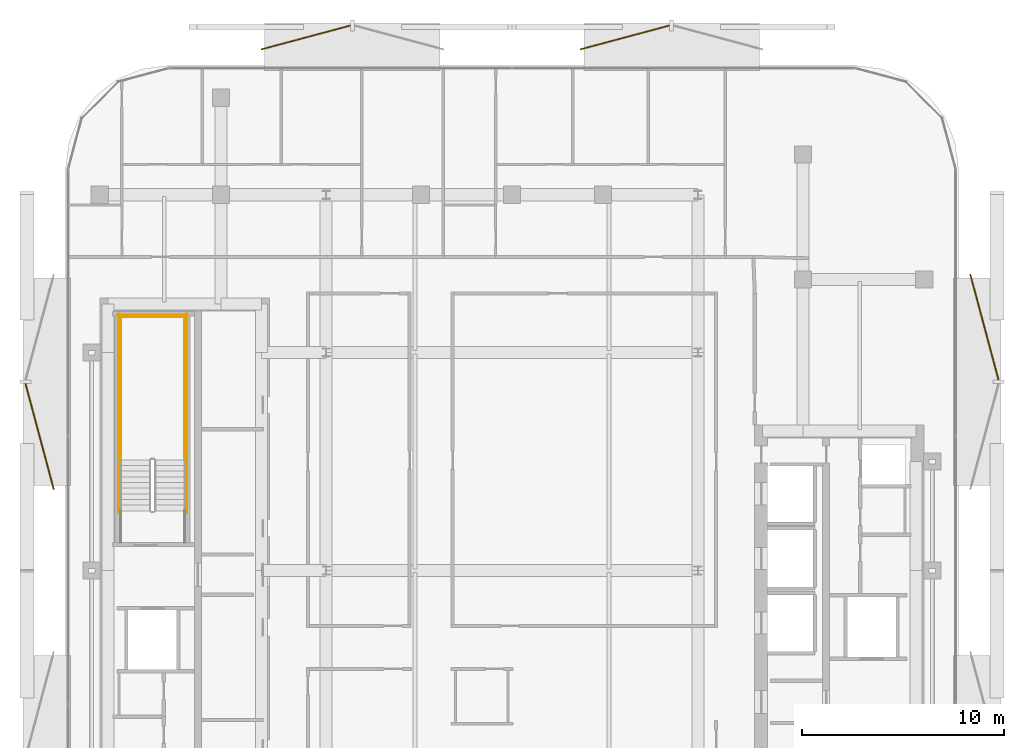
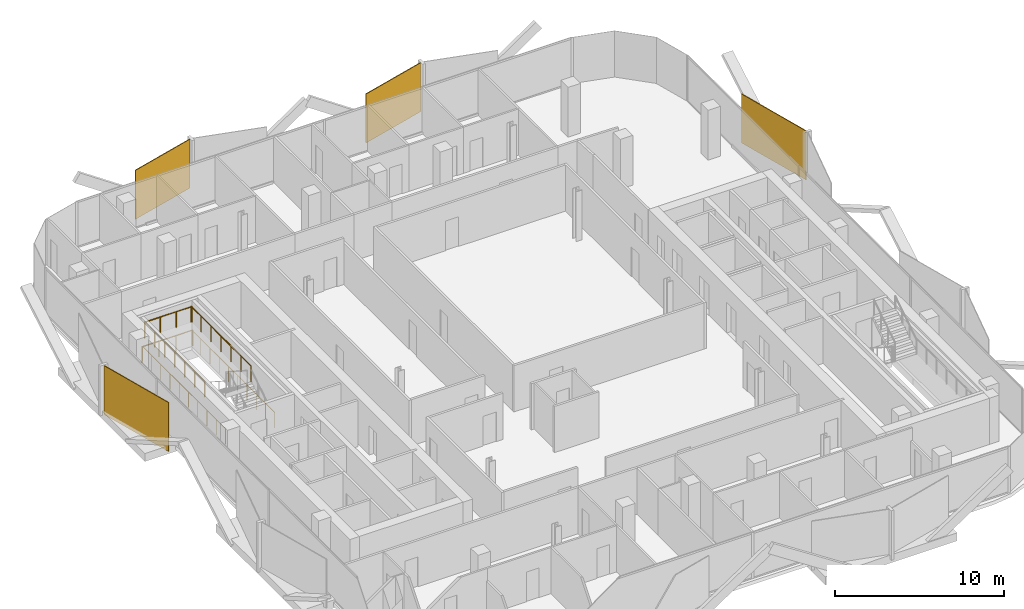
# One storey, part 14 of 14: 6 railings, 4 coverings.
"""IFC4 building model written with IfcOpenShell, lengths in metres."""

from ifc_helpers import new_model, si_unit, direction, frame, origin, origin_2d, place, context, subcontext, project, spatial, rectangle, circle, extrude, material, layer, layer_set, type_object, element, save


model = new_model("IFC4")

# Units and contexts
model_context = context("Model", 3, precision=1e-05, world=origin(), true_north=direction((0.0, 1.0)))
body_context = subcontext(model_context, "Body", "Model", "MODEL_VIEW")
ifc_project = project(units=[si_unit("LENGTHUNIT", "METRE"), si_unit("AREAUNIT", "SQUARE_METRE"), si_unit("VOLUMEUNIT", "CUBIC_METRE"), si_unit("PLANEANGLEUNIT", "RADIAN"), si_unit("MASSUNIT", "GRAM", prefix="KILO")], contexts=[model_context])

# Site, building, storey
site_placement = place(None, origin())
site = spatial("IfcSite", under=ifc_project, at=site_placement, CompositionType="ELEMENT")
building_placement = place(site_placement, origin())
building = spatial("IfcBuilding", under=site, at=building_placement, Name="Khairoan Windgate Tower", CompositionType="ELEMENT")
storey_placement = place(building_placement, frame((0.0, 0.0, 229.60009765625)))
storey = spatial("IfcBuildingStorey", under=building, at=storey_placement, Name="L53", CompositionType="ELEMENT", Elevation=229.60009765625)

# Coverings
ifc_material_1 = material(Name="Anodised Bronze Aluminium 6063-T6", Category="aluminium")
ifc_layer = layer(ifc_material_1, 0.054931640625, Name="Anodised Bronze Aluminium 6063-T6")
ifc_layer_set = layer_set([ifc_layer], Name="Anodised Bronze Aluminium 6063-T6")
covering_type = type_object("IfcCoveringType", Name="Perforated Bronze-Ceramic Folded Solar Screen Cladding BSC-1", PredefinedType="CLADDING", material=ifc_layer_set)
covering_1_placement = place(storey_placement, frame((-23.378662109375, 6.6376953125, -0.10009765625), z_axis=(0.0, 0.0, 1.0), x_axis=(-0.258819045103, 0.965925826289, 0.0)))
element("IfcCovering", 1, at=covering_1_placement, inside=storey, type_object=covering_type, Name="L53 Folded Bronze Solar Screen Facet 356L", PredefinedType="CLADDING", context=body_context, shape_type="SweptSolid", body=[
    extrude(rectangle(XDim=5.419921875, YDim=0.054931640625, at=origin_2d()), origin(), (0.0, 0.0, 1.0), 3.5400390625),
])
for number, where, z_axis, x_axis, name in (
    (2, (-10.197021484375, 26.387451171875, -0.10009765625), (0.0, 0.0, 1.0), (0.965925826289, 0.258819045103, 0.0), "L53 Folded Bronze Solar Screen Facet 357L"),
    (3, (5.593994140625, 26.387451171875, -0.10009765625), (0.0, 0.0, 1.0), (0.965925826289, 0.258819045103, 0.0), "L53 Folded Bronze Solar Screen Facet 358L"),
):
    element("IfcCovering", number, at=place(storey_placement, frame(where, z_axis=z_axis, x_axis=x_axis)), inside=storey, type_object=covering_type, Name=name, PredefinedType="CLADDING", context=body_context, shape_type="SweptSolid", body=[
        extrude(rectangle(XDim=4.5791015625, YDim=0.054931640625, at=origin_2d()), origin(), (0.0, 0.0, 1.0), 3.5400390625),
    ])
covering_2_placement = place(storey_placement, frame((23.378662109375, 12.052978515625, -0.10009765625), z_axis=(0.0, 0.0, 1.0), x_axis=(0.258819045103, -0.965925826289, 0.0)))
element("IfcCovering", 4, at=covering_2_placement, inside=storey, type_object=covering_type, Name="L53 Folded Bronze Solar Screen Facet 359L", PredefinedType="CLADDING", context=body_context, shape_type="SweptSolid", body=[
    extrude(rectangle(XDim=5.419921875, YDim=0.054931640625, at=origin_2d()), origin(), (0.0, 0.0, 1.0), 3.5400390625),
])

# Railings
ifc_material_2 = material(Name="Steel S355", Category="steel")
railing_type = type_object("IfcRailingType", Name="Stairwell Safety Guardrail SGR-1150", PredefinedType="GUARDRAIL", material=ifc_material_2)
for number, where, name in (
    (5, (-16.199951171875, 5.47998046875, 1.7998046875), "L53 ST2 stair guard 3"),
    (6, (-19.3701171875, 5.47998046875, 1.7998046875), "L53 ST2 stair guard 4"),
):
    element("IfcRailing", number, at=place(storey_placement, frame(where)), inside=storey, type_object=railing_type, Name=name, PredefinedType="GUARDRAIL", context=body_context, shape_type="SweptSolid", body=[
        extrude(circle(Radius=0.02392578125, at=origin_2d()), frame((0.0, 0.0, 1.1259765625), z_axis=(0.0, 1.0, 0.0), x_axis=(-1.0, 0.0, 0.0)), (0.0, 0.0, 1.0), 7.1201171875),
        extrude(circle(Radius=0.02099609375, at=origin_2d()), origin(), (0.0, 0.0, 1.0), 1.101806640625),
        extrude(circle(Radius=0.02099609375, at=origin_2d()), frame((0.0, 1.186767578125, 0.0)), (0.0, 0.0, 1.0), 1.101806640625),
        extrude(circle(Radius=0.02099609375, at=origin_2d()), frame((0.0, 2.373291015625, 0.0)), (0.0, 0.0, 1.0), 1.101806640625),
        extrude(circle(Radius=0.02099609375, at=origin_2d()), frame((0.0, 3.56005859375, 0.0)), (0.0, 0.0, 1.0), 1.101806640625),
        extrude(circle(Radius=0.02099609375, at=origin_2d()), frame((0.0, 4.746826171875, 0.0)), (0.0, 0.0, 1.0), 1.101806640625),
        extrude(circle(Radius=0.02099609375, at=origin_2d()), frame((0.0, 5.933349609375, 0.0)), (0.0, 0.0, 1.0), 1.101806640625),
        extrude(circle(Radius=0.02099609375, at=origin_2d()), frame((0.0, 7.1201171875, 0.0)), (0.0, 0.0, 1.0), 1.101806640625),
    ])
railing_1_placement = place(storey_placement, frame((-16.14990234375, 12.550048828125, 1.7998046875)))
element("IfcRailing", 7, at=railing_1_placement, inside=storey, type_object=railing_type, Name="L53 ST2 stair guard 5", PredefinedType="GUARDRAIL", context=body_context, shape_type="SweptSolid", body=[
    extrude(circle(Radius=0.02392578125, at=origin_2d()), frame((0.0, 0.0, 1.1259765625), z_axis=(-1.0, 0.0, 0.0), x_axis=(0.0, -1.0, 0.0)), (0.0, 0.0, 1.0), 3.27001953125),
    extrude(circle(Radius=0.02099609375, at=origin_2d()), origin(), (0.0, 0.0, 1.0), 1.101806640625),
    extrude(circle(Radius=0.02099609375, at=origin_2d()), frame((-1.090087890625, 0.0, 0.0)), (0.0, 0.0, 1.0), 1.101806640625),
    extrude(circle(Radius=0.02099609375, at=origin_2d()), frame((-2.179931640625, 0.0, 0.0)), (0.0, 0.0, 1.0), 1.101806640625),
    extrude(circle(Radius=0.02099609375, at=origin_2d()), frame((-3.27001953125, 0.0, 0.0)), (0.0, 0.0, 1.0), 1.101806640625),
])
for number, where, name in (
    (8, (-16.10009765625, 2.860107421875, 0.0), "L53 ST2 stair guard 10"),
    (9, (-19.469970703125, 2.860107421875, 0.0), "L53 ST2 stair guard 11"),
):
    element("IfcRailing", number, at=place(storey_placement, frame(where)), inside=storey, type_object=railing_type, Name=name, PredefinedType="GUARDRAIL", context=body_context, shape_type="SweptSolid", body=[
        extrude(circle(Radius=0.02392578125, at=origin_2d()), frame((0.0, 0.0, 1.1259765625), z_axis=(0.0, 1.0, 0.0), x_axis=(-1.0, 0.0, 0.0)), (0.0, 0.0, 1.0), 9.83984375),
        extrude(circle(Radius=0.02099609375, at=origin_2d()), origin(), (0.0, 0.0, 1.0), 1.101806640625),
        extrude(circle(Radius=0.02099609375, at=origin_2d()), frame((0.0, 1.09326171875, 0.0)), (0.0, 0.0, 1.0), 1.101806640625),
        extrude(circle(Radius=0.02099609375, at=origin_2d()), frame((0.0, 2.1865234375, 0.0)), (0.0, 0.0, 1.0), 1.101806640625),
        extrude(circle(Radius=0.02099609375, at=origin_2d()), frame((0.0, 3.280029296875, 0.0)), (0.0, 0.0, 1.0), 1.101806640625),
        extrude(circle(Radius=0.02099609375, at=origin_2d()), frame((0.0, 4.373291015625, 0.0)), (0.0, 0.0, 1.0), 1.101806640625),
        extrude(circle(Radius=0.02099609375, at=origin_2d()), frame((0.0, 5.466552734375, 0.0)), (0.0, 0.0, 1.0), 1.101806640625),
        extrude(circle(Radius=0.02099609375, at=origin_2d()), frame((0.0, 6.559814453125, 0.0)), (0.0, 0.0, 1.0), 1.101806640625),
        extrude(circle(Radius=0.02099609375, at=origin_2d()), frame((0.0, 7.6533203125, 0.0)), (0.0, 0.0, 1.0), 1.101806640625),
        extrude(circle(Radius=0.02099609375, at=origin_2d()), frame((0.0, 8.74658203125, 0.0)), (0.0, 0.0, 1.0), 1.101806640625),
        extrude(circle(Radius=0.02099609375, at=origin_2d()), frame((0.0, 9.83984375, 0.0)), (0.0, 0.0, 1.0), 1.101806640625),
    ])
railing_2_placement = place(storey_placement, frame((-16.050048828125, 12.64990234375, 0.0)))
element("IfcRailing", 10, at=railing_2_placement, inside=storey, type_object=railing_type, Name="L53 ST2 stair guard 12", PredefinedType="GUARDRAIL", context=body_context, shape_type="SweptSolid", body=[
    extrude(circle(Radius=0.02392578125, at=origin_2d()), frame((0.0, 0.0, 1.1259765625), z_axis=(-1.0, 0.0, 0.0), x_axis=(0.0, -1.0, 0.0)), (0.0, 0.0, 1.0), 3.469970703125),
    extrude(circle(Radius=0.02099609375, at=origin_2d()), origin(), (0.0, 0.0, 1.0), 1.101806640625),
    extrude(circle(Radius=0.02099609375, at=origin_2d()), frame((-1.15673828125, 0.0, 0.0)), (0.0, 0.0, 1.0), 1.101806640625),
    extrude(circle(Radius=0.02099609375, at=origin_2d()), frame((-2.313232421875, 0.0, 0.0)), (0.0, 0.0, 1.0), 1.101806640625),
    extrude(circle(Radius=0.02099609375, at=origin_2d()), frame((-3.469970703125, 0.0, 0.0)), (0.0, 0.0, 1.0), 1.101806640625),
])

save(model, "model.ifc")
